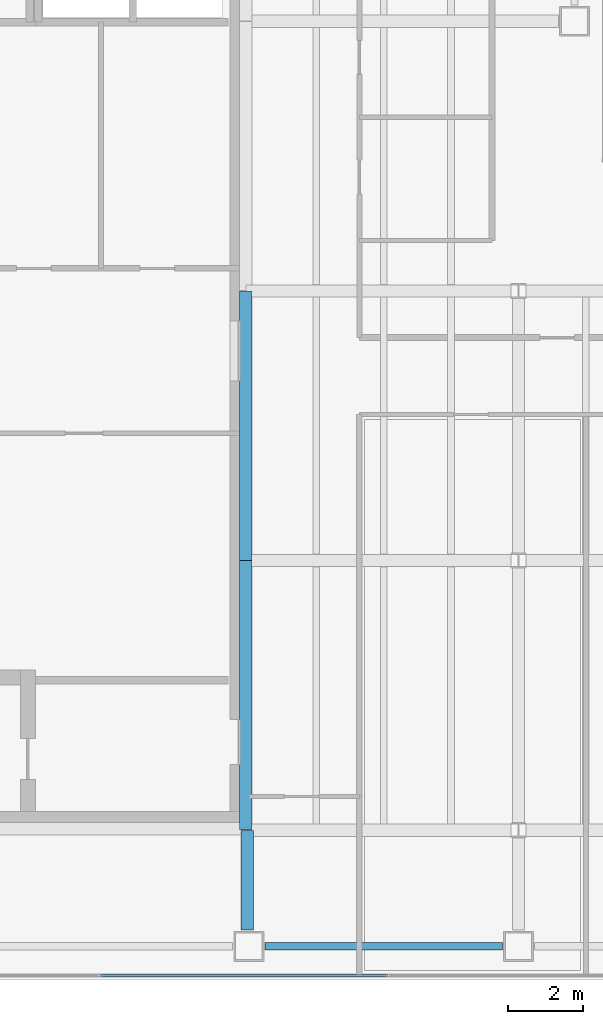
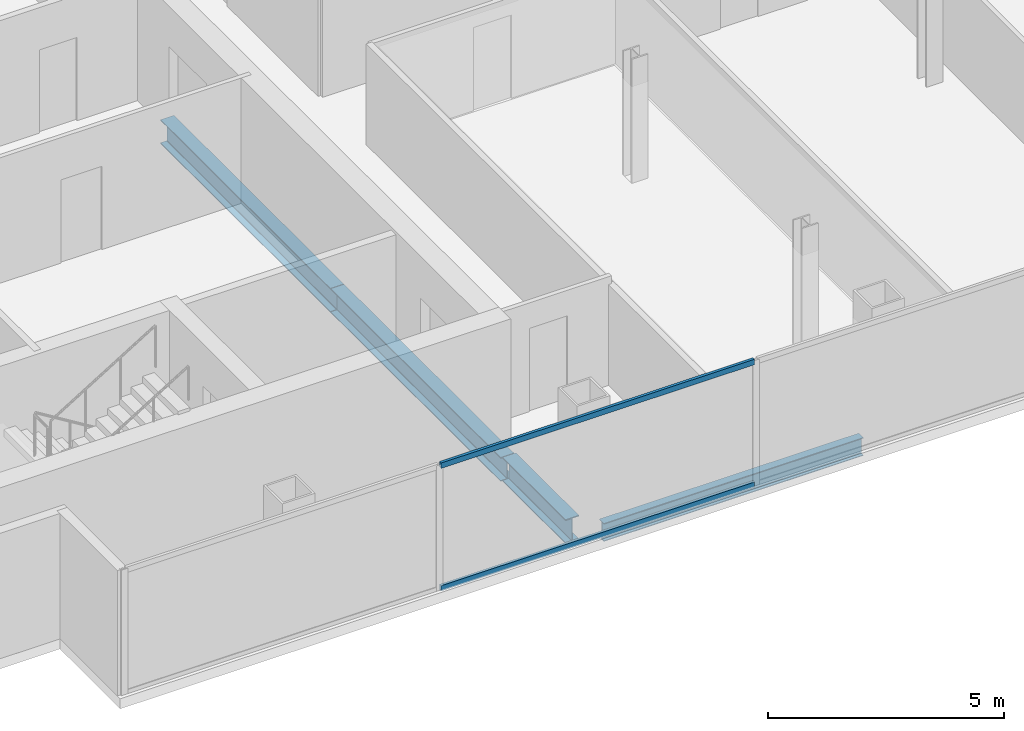
# One storey, part 3 of 23: 4 beams, 2 members, 1 element without a shape of its own.
"""IFC4 building model written with IfcOpenShell, lengths in metres."""

from ifc_helpers import new_model, si_unit, direction, frame, origin, origin_2d, place, context, subcontext, project, spatial, hollow_rectangle, i_section, extrude, material, material_profile, profile_set, type_object, element, aggregate, save


model = new_model("IFC4")

# Units and contexts
model_context = context("Model", 3, precision=1e-05, world=origin(), true_north=direction((0.0, 1.0)))
body_context = subcontext(model_context, "Body", "Model", "MODEL_VIEW")
ifc_project = project(units=[si_unit("LENGTHUNIT", "METRE"), si_unit("AREAUNIT", "SQUARE_METRE"), si_unit("VOLUMEUNIT", "CUBIC_METRE"), si_unit("PLANEANGLEUNIT", "RADIAN"), si_unit("MASSUNIT", "GRAM", prefix="KILO")], contexts=[model_context])

# Site, building, storey
site_placement = place(None, origin())
site = spatial("IfcSite", under=ifc_project, at=site_placement, CompositionType="ELEMENT")
building_placement = place(site_placement, origin())
building = spatial("IfcBuilding", under=site, at=building_placement, Name="Cobrela Telecom Tower", CompositionType="ELEMENT")
storey_placement = place(building_placement, frame((0.0, 0.0, 187.25)))
storey = spatial("IfcBuildingStorey", under=building, at=storey_placement, Name="L47", CompositionType="ELEMENT", Elevation=187.25)

# Beams
ifc_material_1 = material(Name="Steel ASTM A992 Grade 50", Category="steel")
ifc_material_profile_1 = material_profile(ifc_material_1, i_section(OverallWidth=0.327880859375, OverallDepth=0.6220703125, WebThickness=0.015380859375, FlangeThickness=0.0244140625, FilletRadius=0.014892578125, at=origin_2d()), Name="W24X131")
ifc_profile_set_1 = profile_set([ifc_material_profile_1], Name="Steel ASTM A992 Grade 50")
beam_type_1 = type_object("IfcBeamType", Name="BM-GIRD-06", PredefinedType="USERDEFINED", material=ifc_profile_set_1)
beam_1_placement = place(storey_placement, frame((14.360107421875, 4.530029296875, -0.571044921875), z_axis=(0.0, 1.0, 0.0), x_axis=(-1.0, 0.0, 0.0)))
element("IfcBeam", 1, at=beam_1_placement, inside=storey, type_object=beam_type_1, Name="L47 Primary Girder Y26", ObjectType="GIRDER", PredefinedType="USERDEFINED", context=body_context, shape_type="SweptSolid", body=[
    extrude(i_section(OverallWidth=0.327880859375, OverallDepth=0.6220703125, WebThickness=0.015380859375, FlangeThickness=0.0244140625, FilletRadius=0.014892578125, at=origin_2d()), origin(), (0.0, 0.0, 1.0), 2.6650390625),
])
for number, where, z_axis, x_axis, name in (
    (2, (14.320068359375, 7.205078125, -0.571044921875), (0.0, 1.0, 0.0), (-1.0, 0.0, 0.0), "L47 Primary Girder Y27"),
    (3, (14.320068359375, 14.405029296875, -0.571044921875), (0.0, 1.0, 0.0), (-1.0, 0.0, 0.0), "L47 Primary Girder Y28"),
):
    element("IfcBeam", number, at=place(storey_placement, frame(where, z_axis=z_axis, x_axis=x_axis)), inside=storey, type_object=beam_type_1, Name=name, ObjectType="GIRDER", PredefinedType="USERDEFINED", context=body_context, shape_type="SweptSolid", body=[
        extrude(i_section(OverallWidth=0.327880859375, OverallDepth=0.6220703125, WebThickness=0.015380859375, FlangeThickness=0.0244140625, FilletRadius=0.014892578125, at=origin_2d()), origin(), (0.0, 0.0, 1.0), 7.18994140625),
    ])
ifc_material_profile_2 = material_profile(ifc_material_1, i_section(OverallWidth=0.193115234375, OverallDepth=0.467041015625, WebThickness=0.011474609375, FlangeThickness=0.01904296875, FilletRadius=0.012939453125, at=origin_2d()), Name="W18X65")
ifc_profile_set_2 = profile_set([ifc_material_profile_2], Name="Steel ASTM A992 Grade 50")
beam_type_2 = type_object("IfcBeamType", Name="BM-SPAND-05", PredefinedType="SPANDREL", material=ifc_profile_set_2)
beam_2_placement = place(storey_placement, frame((14.830078125, 4.10009765625, -0.493408203125), z_axis=(1.0, 0.0, 0.0), x_axis=(0.0, 1.0, 0.0)))
element("IfcBeam", 4, at=beam_2_placement, inside=storey, type_object=beam_type_2, Name="L47 Perimeter Spandrel X02", PredefinedType="SPANDREL", context=body_context, shape_type="SweptSolid", body=[
    extrude(i_section(OverallWidth=0.193115234375, OverallDepth=0.467041015625, WebThickness=0.011474609375, FlangeThickness=0.01904296875, FilletRadius=0.012939453125, at=origin_2d()), origin(), (0.0, 0.0, 1.0), 6.33984375),
])

# Curtain wall, members
ifc_material_2 = material(Name="Anodized Bronze Aluminium 6063-T6", Category="aluminium")
curtain_wall_type = type_object("IfcCurtainWallType", Name="CW-SYS-OFF-LO", PredefinedType="USERDEFINED", material=ifc_material_2)
curtain_wall_placement = place(storey_placement, origin())
curtain_wall = element("IfcCurtainWall", 5, at=curtain_wall_placement, inside=storey, type_object=curtain_wall_type, Name="L47 Unitised Bronze Curtain Wall 17", ObjectType="UNITISED CURTAIN WALL", PredefinedType="USERDEFINED")
ifc_material_profile_3 = material_profile(ifc_material_2, hollow_rectangle(XDim=0.070068359375, YDim=0.139892578125, WallThickness=0.00390625, at=origin_2d()), Name="ALU 70x140x4")
ifc_profile_set_3 = profile_set([ifc_material_profile_3], Name="Anodized Bronze Aluminium 6063-T6")
member_type = type_object("IfcMemberType", Name="CW-SYS-OFF-LO-TRN", PredefinedType="USERDEFINED", material=ifc_profile_set_3)
member_1_placement = place(storey_placement, frame((18.09912109375, 3.320068359375, 0.034912109375), z_axis=(-1.0, 0.0, 0.0), x_axis=(0.0, -1.0, 0.0)))
member_1 = element("IfcMember", 6, at=member_1_placement, type_object=member_type, Name="CW-OFF-LO transom 4.1", ObjectType="TRANSOM", PredefinedType="USERDEFINED", context=body_context, shape_type="SweptSolid", body=[
    extrude(hollow_rectangle(XDim=0.070068359375, YDim=0.139892578125, WallThickness=0.00390625, at=origin_2d()), origin(), (0.0, 0.0, 1.0), 7.662109375),
])
member_2_placement = place(storey_placement, frame((18.09912109375, 3.320068359375, 3.205078125), z_axis=(-1.0, 0.0, 0.0), x_axis=(0.0, -1.0, 0.0)))
member_2 = element("IfcMember", 7, at=member_2_placement, type_object=member_type, Name="CW-OFF-LO transom 4.2", ObjectType="TRANSOM", PredefinedType="USERDEFINED", context=body_context, shape_type="SweptSolid", body=[
    extrude(hollow_rectangle(XDim=0.070068359375, YDim=0.139892578125, WallThickness=0.00390625, at=origin_2d()), origin(), (0.0, 0.0, 1.0), 7.662109375),
])
aggregate(curtain_wall, [member_1, member_2])

save(model, "model.ifc")
